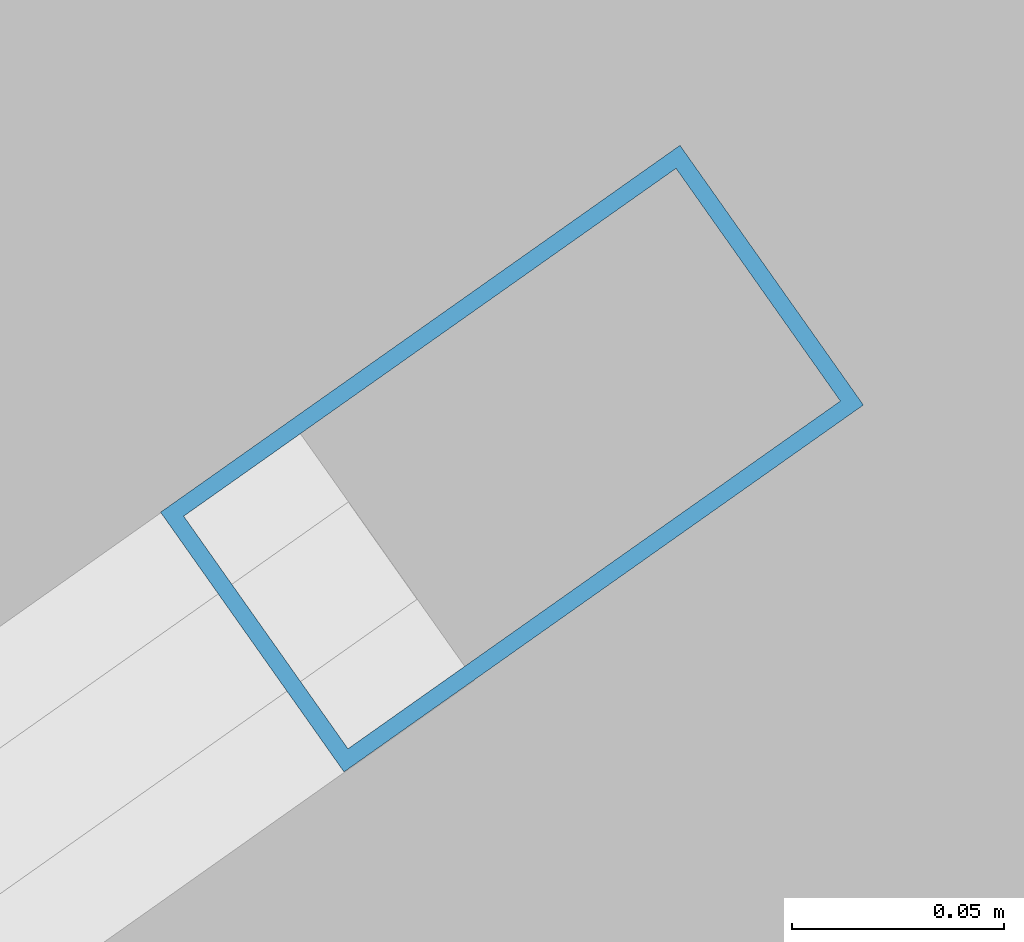
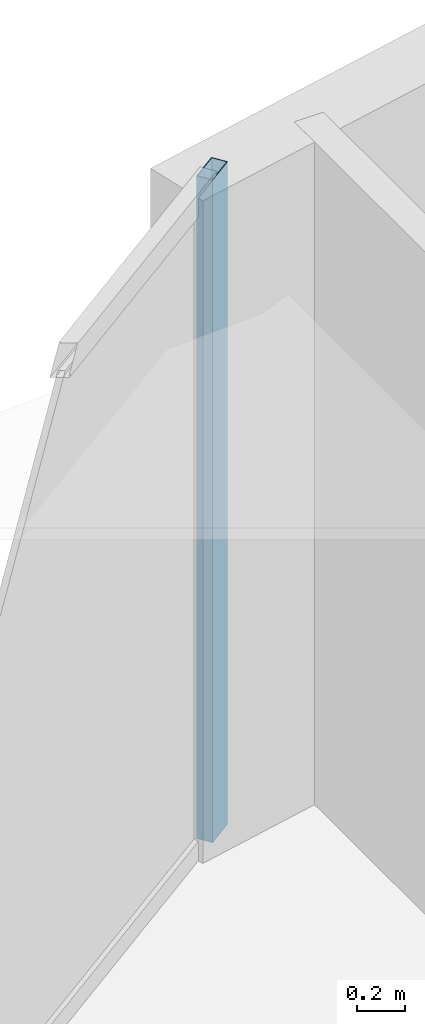
# One storey, part 17 of 31: 1 member, 1 element without a shape of its own.
"""IFC4 building model written with IfcOpenShell, lengths in metres."""

from ifc_helpers import new_model, si_unit, direction, frame, origin, origin_2d, place, context, subcontext, project, spatial, hollow_rectangle, extrude, material, layer, layer_set, material_profile, profile_set, type_object, element, aggregate, save


model = new_model("IFC4")

# Units and contexts
model_context = context("Model", 3, precision=1e-05, world=origin(), true_north=direction((0.0, 1.0)))
body_context = subcontext(model_context, "Body", "Model", "MODEL_VIEW")
ifc_project = project(units=[si_unit("LENGTHUNIT", "METRE"), si_unit("AREAUNIT", "SQUARE_METRE"), si_unit("VOLUMEUNIT", "CUBIC_METRE"), si_unit("PLANEANGLEUNIT", "RADIAN"), si_unit("MASSUNIT", "GRAM", prefix="KILO")], contexts=[model_context])

# Site, building, storey
site_placement = place(None, origin())
site = spatial("IfcSite", under=ifc_project, at=site_placement, CompositionType="ELEMENT")
building_placement = place(site_placement, origin())
building = spatial("IfcBuilding", under=site, at=building_placement, Name="Kazevale Care Tower and Concert Hall", CompositionType="ELEMENT")
storey_placement = place(building_placement, frame((0.0, 0.0, 56.39990234375)))
storey = spatial("IfcBuildingStorey", under=building, at=storey_placement, Name="L14", CompositionType="ELEMENT", Elevation=56.39990234375)

# Curtain wall, member
ifc_material_1 = material(Name="Aluminium 6063-T6 and Low-E Glass", Category="aluminium")
ifc_layer = layer(ifc_material_1, 0.179931640625)
ifc_layer_set = layer_set([ifc_layer], Name="Aluminium 6063-T6 and Low-E Glass")
curtain_wall_type = type_object("IfcCurtainWallType", Name="Convex Recessed Sunroom Curtain Wall CW-3", PredefinedType="NOTDEFINED", material=ifc_layer_set)
curtain_wall_placement = place(storey_placement, origin())
curtain_wall = element("IfcCurtainWall", 1, at=curtain_wall_placement, inside=storey, type_object=curtain_wall_type, Name="cw:L14:f14", PredefinedType="NOTDEFINED")
ifc_material_2 = material(Name="Aluminium 6063-T6", Category="aluminium")
ifc_material_profile = material_profile(ifc_material_2, hollow_rectangle(XDim=0.074951171875, YDim=0.14990234375, WallThickness=0.00390625, at=origin_2d()), Name="ALU75x150x4")
ifc_profile_set = profile_set([ifc_material_profile], Name="Aluminium 6063-T6")
member_type = type_object("IfcMemberType", Name="CW-3 Mullion ALU75x150x4", PredefinedType="MULLION", material=ifc_profile_set)
member_placement = place(storey_placement, frame((25.96435546875, 61.17041015625, 0.0), z_axis=(0.0, 0.0, 1.0), x_axis=(-0.57692895392, 0.816794332821, 0.0)))
member = element("IfcMember", 2, at=member_placement, type_object=member_type, Name="CW-3 mullion 2", PredefinedType="MULLION", context=body_context, shape_type="SweptSolid", body=[
    extrude(hollow_rectangle(XDim=0.074951171875, YDim=0.14990234375, WallThickness=0.00390625, at=origin_2d()), origin(), (0.0, 0.0, 1.0), 3.360107421875),
])
aggregate(curtain_wall, [member])

save(model, "model.ifc")
